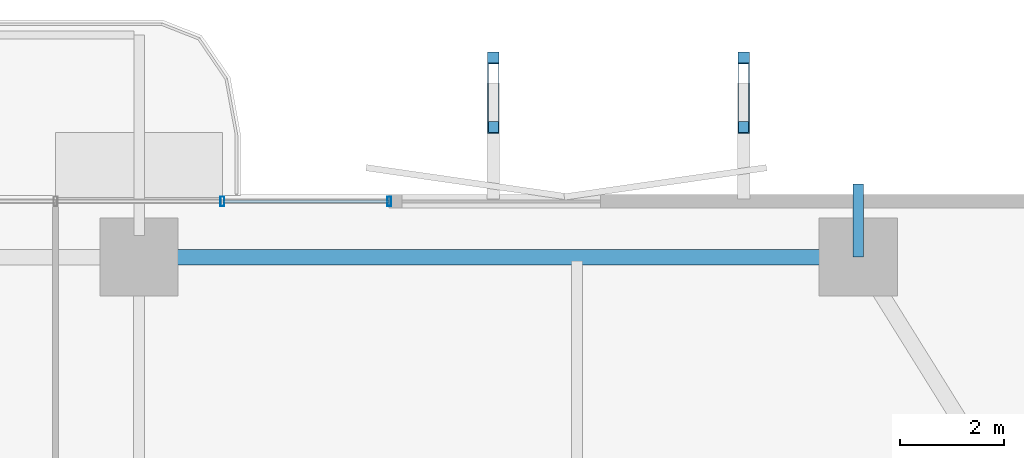
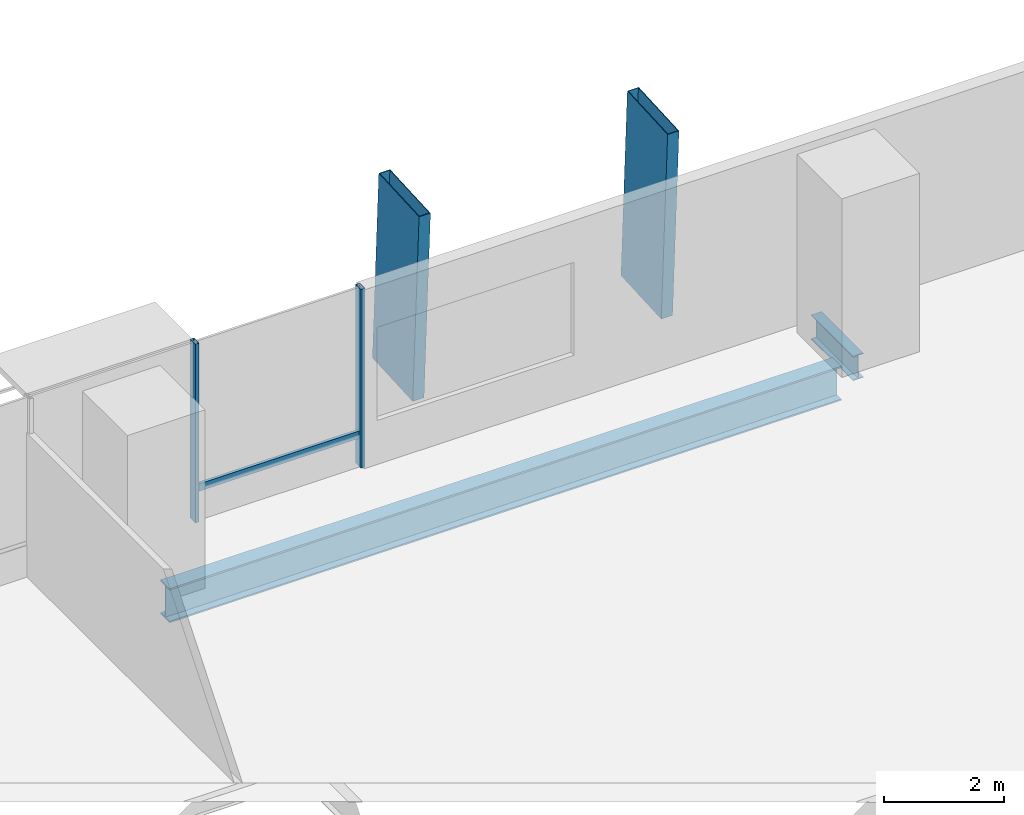
# One storey, part 15 of 23: 5 members, 2 beams, 1 element without a shape of its own.
"""IFC4 building model written with IfcOpenShell, lengths in metres."""

from ifc_helpers import new_model, si_unit, direction, frame, origin, origin_2d, place, context, subcontext, project, spatial, hollow_rectangle, i_section, extrude, material, layer, layer_set, material_profile, profile_set, type_object, element, aggregate, save


model = new_model("IFC4")

# Units and contexts
model_context = context("Model", 3, precision=1e-05, world=origin(), true_north=direction((0.0, 1.0)))
body_context = subcontext(model_context, "Body", "Model", "MODEL_VIEW")
ifc_project = project(units=[si_unit("LENGTHUNIT", "METRE"), si_unit("AREAUNIT", "SQUARE_METRE"), si_unit("VOLUMEUNIT", "CUBIC_METRE"), si_unit("PLANEANGLEUNIT", "RADIAN"), si_unit("MASSUNIT", "GRAM", prefix="KILO")], contexts=[model_context])

# Site, building, storey
site_placement = place(None, origin())
site = spatial("IfcSite", under=ifc_project, at=site_placement, CompositionType="ELEMENT")
building_placement = place(site_placement, origin())
building = spatial("IfcBuilding", under=site, at=building_placement, Name="Belovzor Exchange Tower", CompositionType="ELEMENT")
storey_placement = place(building_placement, frame((0.0, 0.0, 57.300048828125)))
storey = spatial("IfcBuildingStorey", under=building, at=storey_placement, Name="L13", CompositionType="ELEMENT", Elevation=57.300048828125)

# Members
ifc_material_1 = material(Name="Extruded Architectural Terracotta on Steel S355 Carrier", Category="masonry")
ifc_material_profile_1 = material_profile(ifc_material_1, hollow_rectangle(XDim=0.219970703125, YDim=1.35009765625, WallThickness=0.013916015625, at=origin_2d()))
ifc_profile_set_1 = profile_set([ifc_material_profile_1], Name="Extruded Architectural Terracotta on Steel S355 Carrier")
member_type_1 = type_object("IfcMemberType", Name="Base Arc Sweeping Terracotta Pylon Fin 1450", PredefinedType="USERDEFINED", material=ifc_profile_set_1)
for number, where, z_axis, x_axis, name in (
    (1, (35.60009765625, 58.762939453125, -0.25), (0.0, -0.054756839471, 0.998499718844), (1.0, 0.0, 0.0), "FIN-TC145 Terracotta Facade Fin L13 N3"),
    (2, (40.39990234375, 58.762939453125, -0.25), (0.0, -0.054756839471, 0.998499718844), (1.0, 0.0, 0.0), "FIN-TC145 Terracotta Facade Fin L13 N4"),
):
    element("IfcMember", number, at=place(storey_placement, frame(where, z_axis=z_axis, x_axis=x_axis)), inside=storey, type_object=member_type_1, Name=name, ObjectType="FIN", PredefinedType="USERDEFINED", context=body_context, shape_type="SweptSolid", body=[
        extrude(hollow_rectangle(XDim=0.219970703125, YDim=1.35009765625, WallThickness=0.013916015625, at=origin_2d()), origin(), (0.0, 0.0, 1.0), 3.90576171875),
    ])

# Beam
ifc_material_2 = material(Name="Steel S355", Category="steel")
ifc_material_profile_2 = material_profile(ifc_material_2, i_section(OverallWidth=0.199951171875, OverallDepth=0.5, WebThickness=0.01025390625, FlangeThickness=0.01611328125, at=origin_2d()))
ifc_profile_set_2 = profile_set([ifc_material_profile_2], Name="Steel S355")
beam_type_1 = type_object("IfcBeamType", Name="Planted Balcony Cantilever Beam IPE 500", PredefinedType="BEAM", material=ifc_profile_set_2)
beam_1_placement = place(storey_placement, frame((42.60009765625, 55.5, -0.5), z_axis=(0.0, 1.0, 0.0), x_axis=(-1.0, 0.0, 0.0)))
element("IfcBeam", 3, at=beam_1_placement, inside=storey, type_object=beam_type_1, Name="BC-500 Planted Balcony Cantilever Beam IPE 500", PredefinedType="BEAM", context=body_context, shape_type="SweptSolid", body=[
    extrude(i_section(OverallWidth=0.199951171875, OverallDepth=0.5, WebThickness=0.01025390625, FlangeThickness=0.01611328125, at=origin_2d()), origin(), (0.0, 0.0, 1.0), 1.39990234375),
])

# Curtain wall, members
ifc_material_3 = material(Name="Anodised Aluminium Framing", Category="aluminium")
ifc_layer = layer(ifc_material_3, 0.179931640625)
ifc_layer_set = layer_set([ifc_layer], Name="Anodised Aluminium Framing")
curtain_wall_type = type_object("IfcCurtainWallType", Name="Recessed Loggia Low-Iron Triple-Glazed Curtain Wall", PredefinedType="NOTDEFINED", material=ifc_layer_set)
curtain_wall_placement = place(storey_placement, origin())
curtain_wall = element("IfcCurtainWall", 4, at=curtain_wall_placement, inside=storey, type_object=curtain_wall_type, Name="CW3 Recessed Loggia Low-Iron Triple-Glazed Curtain Wall L13", PredefinedType="NOTDEFINED")
ifc_material_4 = material(Name="Steel S355", Category="steel")
ifc_material_profile_3 = material_profile(ifc_material_4, hollow_rectangle(XDim=0.074951171875, YDim=0.179931640625, WallThickness=0.0048828125, at=origin_2d()))
ifc_profile_set_3 = profile_set([ifc_material_profile_3], Name="Steel S355")
member_type_2 = type_object("IfcMemberType", Name="Thermally Broken Curtain Wall Mullion 180x75", PredefinedType="MULLION", material=ifc_profile_set_3)
member_1_placement = place(storey_placement, frame((30.39990234375, 56.570068359375, 0.0), z_axis=(0.0, 0.0, 1.0), x_axis=(1.0, 0.0, 0.0)))
member_1 = element("IfcMember", 5, at=member_1_placement, type_object=member_type_2, Name="CW-M180 Curtain Wall Mullion 3", PredefinedType="MULLION", context=body_context, shape_type="SweptSolid", body=[
    extrude(hollow_rectangle(XDim=0.074951171875, YDim=0.179931640625, WallThickness=0.0048828125, at=origin_2d()), origin(), (0.0, 0.0, 1.0), 3.64990234375),
])
member_2_placement = place(storey_placement, frame((33.60009765625, 56.570068359375, 0.0), z_axis=(0.0, 0.0, 1.0), x_axis=(1.0, 0.0, 0.0)))
member_2 = element("IfcMember", 6, at=member_2_placement, type_object=member_type_2, Name="CW-M180 Curtain Wall Mullion 4", PredefinedType="MULLION", context=body_context, shape_type="SweptSolid", body=[
    extrude(hollow_rectangle(XDim=0.074951171875, YDim=0.179931640625, WallThickness=0.0048828125, at=origin_2d()), origin(), (0.0, 0.0, 1.0), 3.64990234375),
])
ifc_material_5 = material(Name="Steel S355", Category="steel")
ifc_material_profile_4 = material_profile(ifc_material_5, hollow_rectangle(XDim=0.06005859375, YDim=0.14990234375, WallThickness=0.00390625, at=origin_2d()))
ifc_profile_set_4 = profile_set([ifc_material_profile_4], Name="Steel S355")
member_type_3 = type_object("IfcMemberType", Name="Thermally Broken Curtain Wall Transom 150x60", PredefinedType="USERDEFINED", material=ifc_profile_set_4)
member_3_placement = place(storey_placement, frame((30.407958984375, 56.570068359375, 0.64990234375), z_axis=(1.0, 0.0, 0.0), x_axis=(0.0, 1.0, 0.0)))
member_3 = element("IfcMember", 7, at=member_3_placement, type_object=member_type_3, Name="CW-T150 Curtain Wall Transom 3", ObjectType="TRANSOM", PredefinedType="USERDEFINED", context=body_context, shape_type="SweptSolid", body=[
    extrude(hollow_rectangle(XDim=0.06005859375, YDim=0.14990234375, WallThickness=0.00390625, at=origin_2d()), origin(), (0.0, 0.0, 1.0), 3.18408203125),
])
aggregate(curtain_wall, [member_1, member_2, member_3])

# Beam
ifc_material_6 = material(Name="Steel S355", Category="steel")
ifc_material_profile_5 = material_profile(ifc_material_6, i_section(OverallWidth=0.300048828125, OverallDepth=0.699951171875, WebThickness=0.01708984375, FlangeThickness=0.031982421875, at=origin_2d()))
ifc_profile_set_5 = profile_set([ifc_material_profile_5], Name="Steel S355")
beam_type_2 = type_object("IfcBeamType", Name="Zone 1 Primary Perimeter Girder HEB 700", PredefinedType="BEAM", material=ifc_profile_set_5)
beam_2_placement = place(storey_placement, frame((42.18798828125, 55.5, -0.60009765625), z_axis=(-1.0, 0.0, 0.0), x_axis=(0.0, -1.0, 0.0)))
element("IfcBeam", 8, at=beam_2_placement, inside=storey, type_object=beam_type_2, Name="FG-Z1 Zone 1 Primary Perimeter Girder HEB 700", PredefinedType="BEAM", context=body_context, shape_type="SweptSolid", body=[
    extrude(i_section(OverallWidth=0.300048828125, OverallDepth=0.699951171875, WebThickness=0.01708984375, FlangeThickness=0.031982421875, at=origin_2d()), origin(), (0.0, 0.0, 1.0), 12.97509765625),
])

save(model, "model.ifc")
